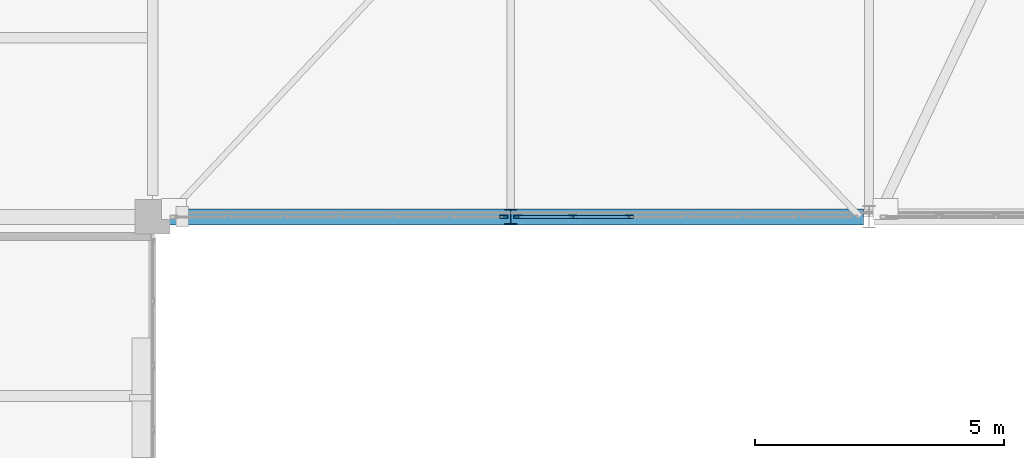
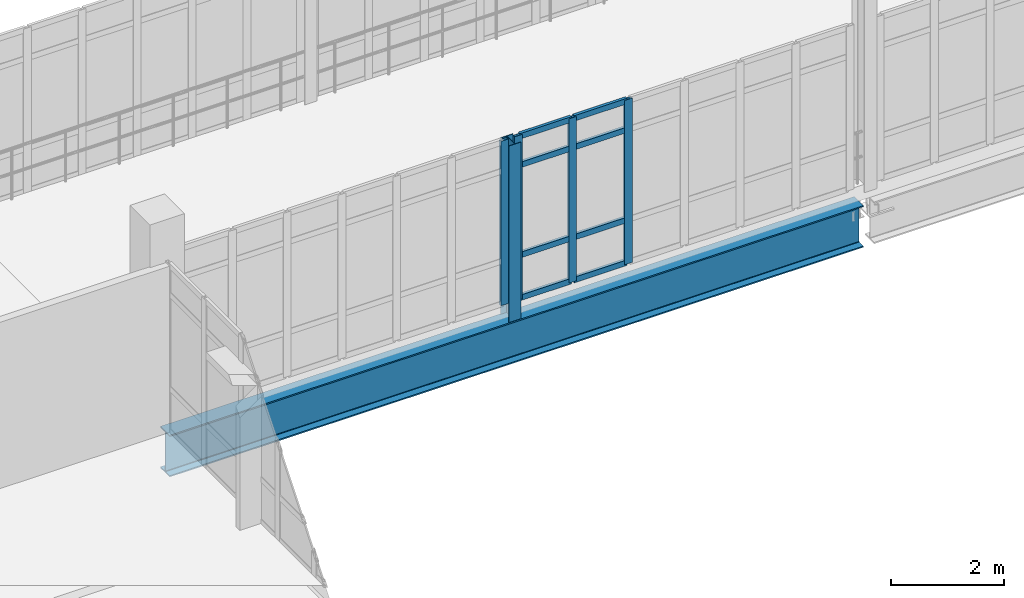
# One storey, part 13 of 124: 13 members, 1 beam, 2 elements without a shape of their own.
"""IFC4 building model written with IfcOpenShell, lengths in metres."""

import ifcopenshell
import ifcopenshell.guid

model = None  # the IFC model being written
_history = None  # IfcOwnerHistory: only IFC2X3 demands one
_inside = {}  # id of a spatial element -> (the spatial element, [elements in it])
_under = {}  # id of a project, library or spatial element -> (it, [spatial elements below it])
_declared = {}  # id of a project -> (the project, [libraries it declares])
_typed = {}  # id of a type object -> (the type object, [elements of that type])
_made_of = {}  # id of a material, layer set ... -> (it, [elements and type objects made of it])


def new_model(schema):
    """Start an empty IFC model of exactly this schema.

    Asked for "IFC4X3", IfcOpenShell would pick the latest addendum, in which some entities
    have other attributes; the version numbers below select the first issue.
    IFC2X3 requires an IfcOwnerHistory on every rooted entity: one is made here for all.
    """
    global model, _history
    if schema == "IFC4X3":
        model = ifcopenshell.file(schema_version=(4, 3, 0, 0))
    else:
        model = ifcopenshell.file(schema=schema)
    _inside.clear()
    _under.clear()
    _declared.clear()
    _typed.clear()
    _made_of.clear()
    _history = None
    if model.schema == "IFC2X3":
        org = make("IfcOrganization", Name="unknown")
        user = make(
            "IfcPersonAndOrganization",
            ThePerson=make("IfcPerson", FamilyName="unknown"),
            TheOrganization=org,
        )
        app = make(
            "IfcApplication",
            ApplicationDeveloper=org,
            Version="unknown",
            ApplicationFullName="unknown",
            ApplicationIdentifier="unknown",
        )
        _history = make(
            "IfcOwnerHistory",
            OwningUser=user,
            OwningApplication=app,
            ChangeAction="ADDED",
            CreationDate=0,
        )
    return model


def make(cls, **values):
    """One entity of the class cls with the attributes given. An attribute that is None is left unset."""
    return model.create_entity(
        cls, **{name: value for name, value in values.items() if value is not None}
    )


def rooted(cls, **values):
    """An entity with a GlobalId (a new one), such as an element, a storey or a relation."""
    return make(cls, GlobalId=ifcopenshell.guid.new(), OwnerHistory=_history, **values)


def si_unit(unit_type, name, prefix=None):
    """IfcSIUnit, for example si_unit("LENGTHUNIT", "METRE", prefix="MILLI")."""
    return make("IfcSIUnit", UnitType=unit_type, Prefix=prefix, Name=name)


def assignment(units):
    """IfcUnitAssignment: the units of a project."""
    return None if units is None else make("IfcUnitAssignment", Units=units)


def point(xyz):
    """IfcCartesianPoint."""
    return None if xyz is None else make("IfcCartesianPoint", Coordinates=xyz)


def direction(xyz):
    """IfcDirection."""
    return None if xyz is None else make("IfcDirection", DirectionRatios=xyz)


def frame(location, z_axis=None, x_axis=None):
    """IfcAxis2Placement3D, a coordinate frame: its origin and axes. An axis left out is left unset."""
    return make(
        "IfcAxis2Placement3D",
        Location=point(location),
        Axis=direction(z_axis),
        RefDirection=direction(x_axis),
    )


def frame_2d(location, x_axis=None):
    """IfcAxis2Placement2D, a coordinate frame in the plane: its origin and x axis."""
    return make(
        "IfcAxis2Placement2D", Location=point(location), RefDirection=direction(x_axis)
    )


def origin():
    """The frame at (0, 0, 0) with its axes left unset."""
    return frame((0.0, 0.0, 0.0))


def origin_2d():
    """The frame at (0, 0) in the plane with its x axis left unset."""
    return frame_2d((0.0, 0.0))


def place(relative_to, where):
    """IfcLocalPlacement: puts the frame where relative to a parent placement (None: the world)."""
    return make(
        "IfcLocalPlacement", PlacementRelTo=relative_to, RelativePlacement=where
    )


def context(
    kind, dimensions, precision=None, world=None, true_north=None, identifier=None
):
    """IfcGeometricRepresentationContext, for example the 3D "Model" context."""
    return make(
        "IfcGeometricRepresentationContext",
        ContextIdentifier=identifier,
        ContextType=kind,
        CoordinateSpaceDimension=dimensions,
        Precision=precision,
        WorldCoordinateSystem=world,
        TrueNorth=true_north,
    )


def subcontext(parent, identifier, kind, view, scale=None):
    """IfcGeometricRepresentationSubContext, for example "Body" below "Model"."""
    return make(
        "IfcGeometricRepresentationSubContext",
        ContextIdentifier=identifier,
        ContextType=kind,
        ParentContext=parent,
        TargetScale=scale,
        TargetView=view,
    )


def project(units=None, contexts=None):
    """IfcProject with its units and contexts."""
    return rooted(
        "IfcProject",
        Name="project",
        RepresentationContexts=contexts,
        UnitsInContext=assignment(units),
    )


def spatial(cls, under=None, at=None, **own):
    """A site, building, storey or space (cls), placed at a placement, below another one or the project."""
    s = rooted(cls, ObjectPlacement=at, **own)
    if under is not None:
        _under.setdefault(under.id(), (under, []))[1].append(s)
    return s


def profile(cls, at=None, kind="AREA", **sizes):
    """A parametric profile (cls). Its sizes go by their IFC names, for example OverallWidth=200.0."""
    return make(cls, ProfileType=kind, Position=at, **sizes)


def hollow_rectangle(**sizes):
    """IfcRectangleHollowProfileDef."""
    return profile("IfcRectangleHollowProfileDef", **sizes)


def i_section(**sizes):
    """IfcIShapeProfileDef."""
    return profile("IfcIShapeProfileDef", **sizes)


def extrude(swept, where, along, depth):
    """IfcExtrudedAreaSolid: the profile swept, set in the frame where, extruded along a direction by depth."""
    return make(
        "IfcExtrudedAreaSolid",
        SweptArea=swept,
        Position=where,
        ExtrudedDirection=direction(along),
        Depth=depth,
    )


def shape(context_of_items, identifier, shape_type, items):
    """IfcShapeRepresentation: the items that make up one representation, for example the "Body"."""
    return make(
        "IfcShapeRepresentation",
        ContextOfItems=context_of_items,
        RepresentationIdentifier=identifier,
        RepresentationType=shape_type,
        Items=items,
    )


def material(Name=None, Category=None):
    """IfcMaterial."""
    return make("IfcMaterial", Name=Name, Category=Category)


def material_profile(
    of_material, cross_section, Name=None, Category=None, Priority=None
):
    """IfcMaterialProfile: a cross section and its material."""
    return make(
        "IfcMaterialProfile",
        Name=Name,
        Material=of_material,
        Profile=cross_section,
        Priority=Priority,
        Category=Category,
    )


def profile_set(profiles, Name=None, composite=None):
    """IfcMaterialProfileSet."""
    return make(
        "IfcMaterialProfileSet",
        Name=Name,
        MaterialProfiles=profiles,
        CompositeProfile=composite,
    )


def made_of(thing, what):
    """Note that an element or type object is made of a material, layer set ...; save() writes the relation."""
    if what is not None:
        _made_of.setdefault(what.id(), (what, []))[1].append(thing)
    return thing


def type_object(cls, material=None, **own):
    """A type object (cls), such as IfcWallType, which elements share."""
    return made_of(rooted(cls, **own), material)


def element(
    cls,
    number,
    at=None,
    inside=None,
    cuts=None,
    type_object=None,
    material=None,
    context=None,
    identifier="Body",
    shape_type=None,
    held_by="IfcProductDefinitionShape",
    body=None,
    shapes=None,
    **own,
):
    """One element of the class cls, such as IfcWall. Its Tag is "e" and its number.

    at: its placement. inside: the storey or other place that contains it. cuts: it is an
    opening in that element (IfcRelVoidsElement). A single representation is given by context,
    identifier, shape_type and body (its items); several are given by shapes. held_by: the class
    of the entity that holds the representations. save() writes the other relations.
    """
    e = rooted(cls, Tag="e%d" % number, ObjectPlacement=at, **own)
    if body is not None:
        shapes = [shape(context, identifier, shape_type, body)]
    if shapes is not None:
        e.Representation = make(held_by, Representations=shapes)
    if inside is not None:
        _inside.setdefault(inside.id(), (inside, []))[1].append(e)
    if cuts is not None:
        rooted(
            "IfcRelVoidsElement", RelatingBuildingElement=cuts, RelatedOpeningElement=e
        )
    if type_object is not None:
        _typed.setdefault(type_object.id(), (type_object, []))[1].append(e)
    return made_of(e, material)


def aggregate(whole, parts):
    """IfcRelAggregates: a whole, such as a stair, and the parts it consists of."""
    return rooted("IfcRelAggregates", RelatingObject=whole, RelatedObjects=parts)


def save(model, path):
    """Write the relations noted so far, then the file.

    IfcRelAggregates (storeys below a building ...), IfcRelContainedInSpatialStructure (elements
    in a storey), IfcRelDefinesByType, IfcRelAssociatesMaterial and IfcRelDeclares: one each for
    every whole, place, type object, material and project.
    """
    for whole, parts in _under.values():
        aggregate(whole, parts)
    for where, things in _inside.values():
        rooted(
            "IfcRelContainedInSpatialStructure",
            RelatedElements=things,
            RelatingStructure=where,
        )
    for kind, things in _typed.values():
        rooted("IfcRelDefinesByType", RelatedObjects=things, RelatingType=kind)
    for what, things in _made_of.values():
        rooted("IfcRelAssociatesMaterial", RelatedObjects=things, RelatingMaterial=what)
    for by, libraries in _declared.values():
        rooted("IfcRelDeclares", RelatingContext=by, RelatedDefinitions=libraries)
    model.write(path)


model = new_model("IFC4")

# Units and contexts
model_context = context("Model", 3, precision=1e-05, world=origin(), true_north=direction((0.0, 1.0)))
body_context = subcontext(model_context, "Body", "Model", "MODEL_VIEW")
ifc_project = project(units=[si_unit("LENGTHUNIT", "METRE"), si_unit("AREAUNIT", "SQUARE_METRE"), si_unit("VOLUMEUNIT", "CUBIC_METRE"), si_unit("PLANEANGLEUNIT", "RADIAN"), si_unit("MASSUNIT", "GRAM", prefix="KILO")], contexts=[model_context])

# Site, building, storey
site_placement = place(None, origin())
site = spatial("IfcSite", under=ifc_project, at=site_placement, CompositionType="ELEMENT")
building_placement = place(site_placement, origin())
building = spatial("IfcBuilding", under=site, at=building_placement, Name="Kalluvel Institute of Natural Sciences", CompositionType="ELEMENT")
storey_placement = place(building_placement, frame((0.0, 0.0, 9.89990234375)))
storey = spatial("IfcBuildingStorey", under=building, at=storey_placement, Name="L02", CompositionType="ELEMENT", Elevation=9.89990234375)

# Beam
ifc_material_1 = material(Name="Steel E350 Grade 350", Category="steel")
ifc_material_profile_1 = material_profile(ifc_material_1, i_section(OverallWidth=0.320068359375, OverallDepth=0.89990234375, WebThickness=0.01611328125, FlangeThickness=0.028076171875, FilletRadius=0.01806640625, at=origin_2d()), Name="WPG 900x320")
ifc_profile_set_1 = profile_set([ifc_material_profile_1], Name="Steel E350 Grade 350")
beam_type = type_object("IfcBeamType", Name="BM-WPG900", PredefinedType="BEAM", material=ifc_profile_set_1)
beam_placement = place(storey_placement, frame((35.760009765625, 28.39990234375, -0.77001953125), z_axis=(1.0, 0.0, 0.0), x_axis=(0.0, 1.0, 0.0)))
element("IfcBeam", 1, at=beam_placement, inside=storey, type_object=beam_type, Name="L02 link bridge main plate-girder chord 1", PredefinedType="BEAM", context=body_context, shape_type="SweptSolid", body=[
    extrude(i_section(OverallWidth=0.320068359375, OverallDepth=0.89990234375, WebThickness=0.01611328125, FlangeThickness=0.028076171875, FilletRadius=0.01806640625, at=origin_2d()), origin(), (0.0, 0.0, 1.0), 14.1298828125),
])

# Curtain wall, member
ifc_material_2 = material(Name="Aluminium AW-6063 T6", Category="aluminium")
curtain_wall_type = type_object("IfcCurtainWallType", Name="CW-BRG-45", PredefinedType="USERDEFINED", material=ifc_material_2)
curtain_wall_1_placement = place(storey_placement, origin())
curtain_wall_1 = element("IfcCurtainWall", 2, at=curtain_wall_1_placement, inside=storey, type_object=curtain_wall_type, Name="L02 Gothic lancet curtain wall CWA-L02-X360-Y284", ObjectType="UNITISED LANCET FACADE", PredefinedType="USERDEFINED")
ifc_material_profile_2 = material_profile(ifc_material_2, hollow_rectangle(XDim=0.06005859375, YDim=0.159912109375, WallThickness=0.00390625, at=origin_2d()), Name="CWM 60x160")
ifc_profile_set_2 = profile_set([ifc_material_profile_2], Name="Aluminium AW-6063 T6")
member_type_1 = type_object("IfcMemberType", Name="CWM-60x160", PredefinedType="MULLION", material=ifc_profile_set_2)
member_1_placement = place(storey_placement, frame((42.659912109375, 28.39990234375, 0.0), z_axis=(0.0, 0.0, 1.0), x_axis=(0.0, 1.0, 0.0)))
member_1 = element("IfcMember", 3, at=member_1_placement, type_object=member_type_1, Name="CW-07 mullion 7", PredefinedType="MULLION", context=body_context, shape_type="SweptSolid", body=[
    extrude(hollow_rectangle(XDim=0.06005859375, YDim=0.159912109375, WallThickness=0.00390625, at=origin_2d()), origin(), (0.0, 0.0, 1.0), 3.5400390625),
])
aggregate(curtain_wall_1, [member_1])

# Curtain wall, members
curtain_wall_2_placement = place(storey_placement, origin())
curtain_wall_2 = element("IfcCurtainWall", 4, at=curtain_wall_2_placement, inside=storey, type_object=curtain_wall_type, Name="L02 Gothic lancet curtain wall CWA-L02-X429-Y284", ObjectType="UNITISED LANCET FACADE", PredefinedType="USERDEFINED")
member_2_placement = place(storey_placement, frame((42.93994140625, 28.39990234375, 0.0), z_axis=(0.0, 0.0, 1.0), x_axis=(0.0, 1.0, 0.0)))
member_2 = element("IfcMember", 5, at=member_2_placement, type_object=member_type_1, Name="CW-07 mullion 1", PredefinedType="MULLION", context=body_context, shape_type="SweptSolid", body=[
    extrude(hollow_rectangle(XDim=0.06005859375, YDim=0.159912109375, WallThickness=0.00390625, at=origin_2d()), origin(), (0.0, 0.0, 1.0), 3.5400390625),
])
member_3_placement = place(storey_placement, frame((44.0458984375, 28.39990234375, 0.0), z_axis=(0.0, 0.0, 1.0), x_axis=(0.0, 1.0, 0.0)))
member_3 = element("IfcMember", 6, at=member_3_placement, type_object=member_type_1, Name="CW-07 mullion 2", PredefinedType="MULLION", context=body_context, shape_type="SweptSolid", body=[
    extrude(hollow_rectangle(XDim=0.06005859375, YDim=0.159912109375, WallThickness=0.00390625, at=origin_2d()), origin(), (0.0, 0.0, 1.0), 3.5400390625),
])
member_4_placement = place(storey_placement, frame((45.181640625, 28.39990234375, 0.0), z_axis=(0.0, 0.0, 1.0), x_axis=(0.0, 1.0, 0.0)))
member_4 = element("IfcMember", 7, at=member_4_placement, type_object=member_type_1, Name="CW-07 mullion 3", PredefinedType="MULLION", context=body_context, shape_type="SweptSolid", body=[
    extrude(hollow_rectangle(XDim=0.06005859375, YDim=0.159912109375, WallThickness=0.00390625, at=origin_2d()), origin(), (0.0, 0.0, 1.0), 3.5400390625),
])
ifc_material_profile_3 = material_profile(ifc_material_2, hollow_rectangle(XDim=0.06005859375, YDim=0.1201171875, WallThickness=0.00390625, at=origin_2d()), Name="CWT 60x120")
ifc_profile_set_3 = profile_set([ifc_material_profile_3], Name="Aluminium AW-6063 T6")
member_type_2 = type_object("IfcMemberType", Name="CWT-60x120", PredefinedType="USERDEFINED", material=ifc_profile_set_3)
member_5_placement = place(storey_placement, frame((42.969970703125, 28.39990234375, 0.030029296875), z_axis=(1.0, 0.0, 0.0), x_axis=(0.0, 1.0, 0.0)))
member_5 = element("IfcMember", 8, at=member_5_placement, type_object=member_type_2, Name="CW-07 transom 1.1", ObjectType="TRANSOM", PredefinedType="USERDEFINED", context=body_context, shape_type="SweptSolid", body=[
    extrude(hollow_rectangle(XDim=0.06005859375, YDim=0.1201171875, WallThickness=0.00390625, at=origin_2d()), origin(), (0.0, 0.0, 1.0), 1.0458984375),
])
member_6_placement = place(storey_placement, frame((42.969970703125, 28.39990234375, 0.9501953125), z_axis=(1.0, 0.0, 0.0), x_axis=(0.0, 1.0, 0.0)))
member_6 = element("IfcMember", 9, at=member_6_placement, type_object=member_type_2, Name="CW-07 transom 1.2", ObjectType="TRANSOM", PredefinedType="USERDEFINED", context=body_context, shape_type="SweptSolid", body=[
    extrude(hollow_rectangle(XDim=0.06005859375, YDim=0.1201171875, WallThickness=0.00390625, at=origin_2d()), origin(), (0.0, 0.0, 1.0), 1.0458984375),
])
member_7_placement = place(storey_placement, frame((42.969970703125, 28.39990234375, 2.89013671875), z_axis=(1.0, 0.0, 0.0), x_axis=(0.0, 1.0, 0.0)))
member_7 = element("IfcMember", 10, at=member_7_placement, type_object=member_type_2, Name="CW-07 transom 1.3", ObjectType="TRANSOM", PredefinedType="USERDEFINED", context=body_context, shape_type="SweptSolid", body=[
    extrude(hollow_rectangle(XDim=0.06005859375, YDim=0.1201171875, WallThickness=0.00390625, at=origin_2d()), origin(), (0.0, 0.0, 1.0), 1.0458984375),
])
member_8_placement = place(storey_placement, frame((42.969970703125, 28.39990234375, 3.510009765625), z_axis=(1.0, 0.0, 0.0), x_axis=(0.0, 1.0, 0.0)))
member_8 = element("IfcMember", 11, at=member_8_placement, type_object=member_type_2, Name="CW-07 transom 1.4", ObjectType="TRANSOM", PredefinedType="USERDEFINED", context=body_context, shape_type="SweptSolid", body=[
    extrude(hollow_rectangle(XDim=0.06005859375, YDim=0.1201171875, WallThickness=0.00390625, at=origin_2d()), origin(), (0.0, 0.0, 1.0), 1.0458984375),
])
member_9_placement = place(storey_placement, frame((44.075927734375, 28.39990234375, 0.030029296875), z_axis=(1.0, 0.0, 0.0), x_axis=(0.0, 1.0, 0.0)))
member_9 = element("IfcMember", 12, at=member_9_placement, type_object=member_type_2, Name="CW-07 transom 2.1", ObjectType="TRANSOM", PredefinedType="USERDEFINED", context=body_context, shape_type="SweptSolid", body=[
    extrude(hollow_rectangle(XDim=0.06005859375, YDim=0.1201171875, WallThickness=0.00390625, at=origin_2d()), origin(), (0.0, 0.0, 1.0), 1.07568359375),
])
member_10_placement = place(storey_placement, frame((44.075927734375, 28.39990234375, 0.9501953125), z_axis=(1.0, 0.0, 0.0), x_axis=(0.0, 1.0, 0.0)))
member_10 = element("IfcMember", 13, at=member_10_placement, type_object=member_type_2, Name="CW-07 transom 2.2", ObjectType="TRANSOM", PredefinedType="USERDEFINED", context=body_context, shape_type="SweptSolid", body=[
    extrude(hollow_rectangle(XDim=0.06005859375, YDim=0.1201171875, WallThickness=0.00390625, at=origin_2d()), origin(), (0.0, 0.0, 1.0), 1.07568359375),
])
member_11_placement = place(storey_placement, frame((44.075927734375, 28.39990234375, 2.89013671875), z_axis=(1.0, 0.0, 0.0), x_axis=(0.0, 1.0, 0.0)))
member_11 = element("IfcMember", 14, at=member_11_placement, type_object=member_type_2, Name="CW-07 transom 2.3", ObjectType="TRANSOM", PredefinedType="USERDEFINED", context=body_context, shape_type="SweptSolid", body=[
    extrude(hollow_rectangle(XDim=0.06005859375, YDim=0.1201171875, WallThickness=0.00390625, at=origin_2d()), origin(), (0.0, 0.0, 1.0), 1.07568359375),
])
member_12_placement = place(storey_placement, frame((44.075927734375, 28.39990234375, 3.510009765625), z_axis=(1.0, 0.0, 0.0), x_axis=(0.0, 1.0, 0.0)))
member_12 = element("IfcMember", 15, at=member_12_placement, type_object=member_type_2, Name="CW-07 transom 2.4", ObjectType="TRANSOM", PredefinedType="USERDEFINED", context=body_context, shape_type="SweptSolid", body=[
    extrude(hollow_rectangle(XDim=0.06005859375, YDim=0.1201171875, WallThickness=0.00390625, at=origin_2d()), origin(), (0.0, 0.0, 1.0), 1.07568359375),
])
aggregate(curtain_wall_2, [member_2, member_3, member_4, member_5, member_6, member_7, member_8, member_9, member_10, member_11, member_12])

# Member
ifc_material_profile_4 = material_profile(ifc_material_1, i_section(OverallWidth=0.25, OverallDepth=0.300048828125, WebThickness=0.009521484375, FlangeThickness=0.010498046875, FilletRadius=0.011962890625, at=origin_2d()), Name="ISHB 300")
ifc_profile_set_4 = profile_set([ifc_material_profile_4], Name="Steel E350 Grade 350")
member_type_3 = type_object("IfcMemberType", Name="MB-ST-ISHB300", PredefinedType="STRUT", material=ifc_profile_set_4)
member_13_placement = place(storey_placement, frame((42.800048828125, 28.39990234375, -0.31982421875), z_axis=(0.0, 0.0, 1.0), x_axis=(1.0, 0.0, 0.0)))
element("IfcMember", 16, at=member_13_placement, inside=storey, type_object=member_type_3, Name="Glazed link bridge truss post 16", PredefinedType="STRUT", context=body_context, shape_type="SweptSolid", body=[
    extrude(i_section(OverallWidth=0.25, OverallDepth=0.300048828125, WebThickness=0.009521484375, FlangeThickness=0.010498046875, FilletRadius=0.011962890625, at=origin_2d()), origin(), (0.0, 0.0, 1.0), 3.7998046875),
])

save(model, "model.ifc")
